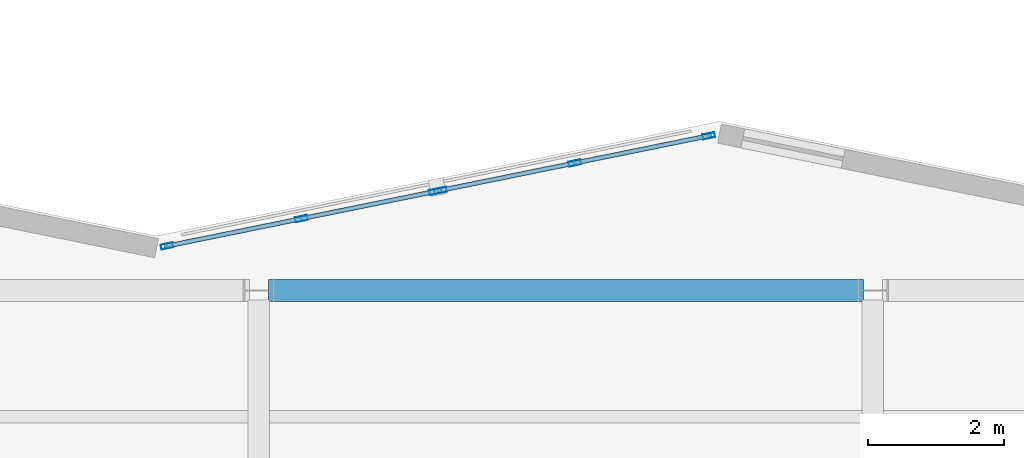
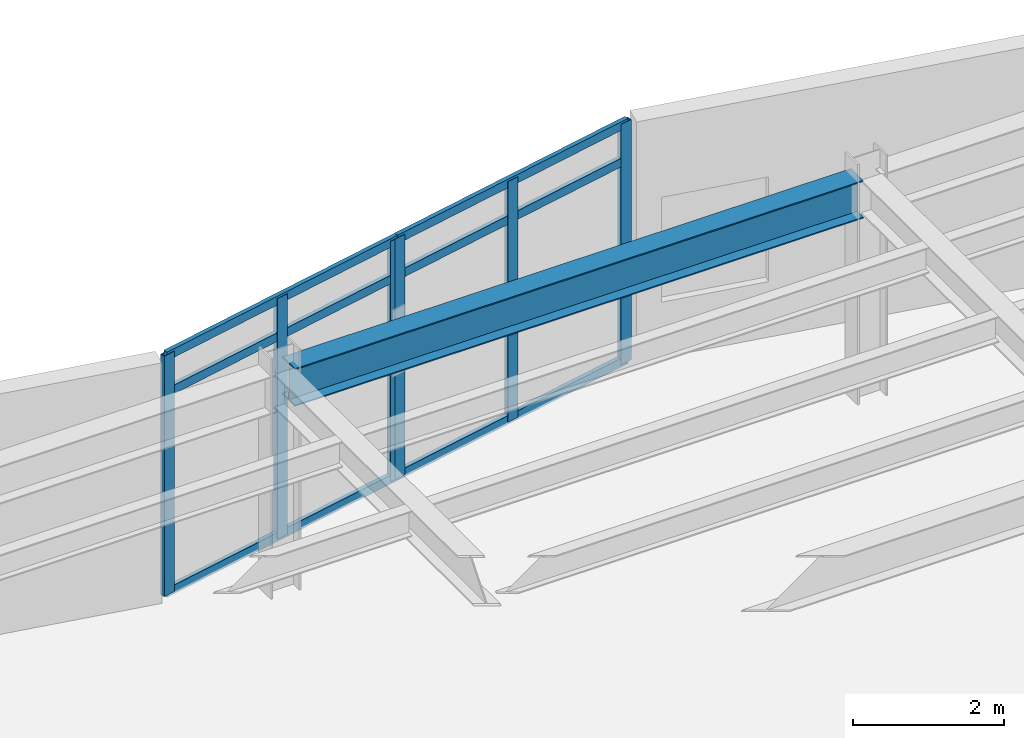
# One storey, part 14 of 46: 12 members, 1 beam, 2 elements without a shape of their own.
"""IFC4 building model written with IfcOpenShell, lengths in metres."""

from ifc_helpers import new_model, si_unit, direction, frame, origin, origin_2d, place, context, subcontext, project, spatial, hollow_rectangle, i_section, extrude, material, layer, layer_set, material_profile, profile_set, type_object, element, aggregate, save


model = new_model("IFC4")

# Units and contexts
model_context = context("Model", 3, precision=1e-05, world=origin(), true_north=direction((0.0, 1.0)))
body_context = subcontext(model_context, "Body", "Model", "MODEL_VIEW")
ifc_project = project(units=[si_unit("LENGTHUNIT", "METRE"), si_unit("AREAUNIT", "SQUARE_METRE"), si_unit("VOLUMEUNIT", "CUBIC_METRE"), si_unit("PLANEANGLEUNIT", "RADIAN"), si_unit("MASSUNIT", "GRAM", prefix="KILO")], contexts=[model_context])

# Site, building, storey
site_placement = place(None, origin())
site = spatial("IfcSite", under=ifc_project, at=site_placement, CompositionType="ELEMENT")
building_placement = place(site_placement, origin())
building = spatial("IfcBuilding", under=site, at=building_placement, Name="Sollismere Congress Hotel", CompositionType="ELEMENT")
storey_placement = place(building_placement, frame((0.0, 0.0, 19.5)))
storey = spatial("IfcBuildingStorey", under=building, at=storey_placement, Name="L04", CompositionType="ELEMENT", Elevation=19.5)

# Beam
ifc_material_1 = material(Name="Steel ASTM A992 Grade 50", Category="steel")
ifc_material_profile_1 = material_profile(ifc_material_1, i_section(OverallWidth=0.324951171875, OverallDepth=0.612060546875, WebThickness=0.0126953125, FlangeThickness=0.01904296875, at=origin_2d()), Name="W24X104")
ifc_profile_set_1 = profile_set([ifc_material_profile_1], Name="Steel ASTM A992 Grade 50")
beam_type = type_object("IfcBeamType", Name="BM-G24", PredefinedType="BEAM", material=ifc_profile_set_1)
beam_placement = place(storey_placement, frame((76.139892578125, 102.39990234375, 3.303955078125), z_axis=(1.0, 0.0, 0.0), x_axis=(0.0, 1.0, 0.0)))
element("IfcBeam", 1, at=beam_placement, inside=storey, type_object=beam_type, Name="Beam BM-L04-2714", PredefinedType="BEAM", context=body_context, shape_type="SweptSolid", body=[
    extrude(i_section(OverallWidth=0.324951171875, OverallDepth=0.612060546875, WebThickness=0.0126953125, FlangeThickness=0.01904296875, at=origin_2d()), origin(), (0.0, 0.0, 1.0), 8.72021484375),
])

# Curtain wall, members
ifc_material_2 = material(Name="Anodized Bronze Curtain Wall & Low-E Triple Glazing", Category="glass")
ifc_layer = layer(ifc_material_2, 0.199951171875, Name="Anodized Bronze Curtain Wall & Low-E Triple Glazing")
ifc_layer_set = layer_set([ifc_layer], Name="Anodized Bronze Curtain Wall & Low-E Triple Glazing")
curtain_wall_type = type_object("IfcCurtainWallType", Name="CW-GLZ36", PredefinedType="USERDEFINED", material=ifc_layer_set)
curtain_wall_1_placement = place(storey_placement, origin())
curtain_wall_1 = element("IfcCurtainWall", 2, at=curtain_wall_1_placement, inside=storey, type_object=curtain_wall_type, Name="Unitised curtain wall CW-L04-115", ObjectType="UNITISED CURTAIN WALL", PredefinedType="USERDEFINED")
ifc_material_3 = material(Name="Anodized Aluminum 6063-T6", Category="aluminium")
ifc_material_profile_2 = material_profile(ifc_material_3, hollow_rectangle(XDim=0.074951171875, YDim=0.179931640625, WallThickness=0.0048828125, at=origin_2d()), Name="ALU180X75X5")
ifc_profile_set_2 = profile_set([ifc_material_profile_2], Name="Anodized Aluminum 6063-T6")
member_type_1 = type_object("IfcMemberType", Name="ML-CW180", PredefinedType="MULLION", material=ifc_profile_set_2)
member_1_placement = place(storey_placement, frame((74.65478515625, 103.051513671875, 0.0), z_axis=(0.0, 0.0, 1.0), x_axis=(-0.199367934417, 0.979924704621, 0.0)))
member_1 = element("IfcMember", 3, at=member_1_placement, type_object=member_type_1, Name="CWL-CW-L04-115-ML01", PredefinedType="MULLION", context=body_context, shape_type="SweptSolid", body=[
    extrude(hollow_rectangle(XDim=0.074951171875, YDim=0.179931640625, WallThickness=0.0048828125, at=origin_2d()), origin(), (0.0, 0.0, 1.0), 3.89990234375),
])
member_2_placement = place(storey_placement, frame((76.621337890625, 103.45166015625, 0.0), z_axis=(0.0, 0.0, 1.0), x_axis=(-0.199367934417, 0.979924704621, 0.0)))
member_2 = element("IfcMember", 4, at=member_2_placement, type_object=member_type_1, Name="CWL-CW-L04-115-ML02", PredefinedType="MULLION", context=body_context, shape_type="SweptSolid", body=[
    extrude(hollow_rectangle(XDim=0.074951171875, YDim=0.179931640625, WallThickness=0.0048828125, at=origin_2d()), origin(), (0.0, 0.0, 1.0), 3.89990234375),
])
member_3_placement = place(storey_placement, frame((78.587890625, 103.851806640625, 0.0), z_axis=(0.0, 0.0, 1.0), x_axis=(-0.199367934417, 0.979924704621, 0.0)))
member_3 = element("IfcMember", 5, at=member_3_placement, type_object=member_type_1, Name="CWL-CW-L04-115-ML03", PredefinedType="MULLION", context=body_context, shape_type="SweptSolid", body=[
    extrude(hollow_rectangle(XDim=0.074951171875, YDim=0.179931640625, WallThickness=0.0048828125, at=origin_2d()), origin(), (0.0, 0.0, 1.0), 3.89990234375),
])

curtain_wall_2_placement = place(storey_placement, origin())
curtain_wall_2 = element("IfcCurtainWall", 6, at=curtain_wall_2_placement, inside=storey, type_object=curtain_wall_type, Name="Unitised curtain wall CW-L04-116", ObjectType="UNITISED CURTAIN WALL", PredefinedType="USERDEFINED")
member_4_placement = place(storey_placement, frame((78.662109375, 103.86669921875, 0.0), z_axis=(0.0, 0.0, 1.0), x_axis=(-0.199367934417, 0.979924704621, 0.0)))
member_4 = element("IfcMember", 7, at=member_4_placement, type_object=member_type_1, Name="CWL-CW-L04-116-ML01", PredefinedType="MULLION", context=body_context, shape_type="SweptSolid", body=[
    extrude(hollow_rectangle(XDim=0.074951171875, YDim=0.179931640625, WallThickness=0.0048828125, at=origin_2d()), origin(), (0.0, 0.0, 1.0), 3.89990234375),
])
member_5_placement = place(storey_placement, frame((80.628662109375, 104.266845703125, 0.0), z_axis=(0.0, 0.0, 1.0), x_axis=(-0.199367934417, 0.979924704621, 0.0)))
member_5 = element("IfcMember", 8, at=member_5_placement, type_object=member_type_1, Name="CWL-CW-L04-116-ML02", PredefinedType="MULLION", context=body_context, shape_type="SweptSolid", body=[
    extrude(hollow_rectangle(XDim=0.074951171875, YDim=0.179931640625, WallThickness=0.0048828125, at=origin_2d()), origin(), (0.0, 0.0, 1.0), 3.89990234375),
])
member_6_placement = place(storey_placement, frame((82.59521484375, 104.6669921875, 0.0), z_axis=(0.0, 0.0, 1.0), x_axis=(-0.199367934417, 0.979924704621, 0.0)))
member_6 = element("IfcMember", 9, at=member_6_placement, type_object=member_type_1, Name="CWL-CW-L04-116-ML03", PredefinedType="MULLION", context=body_context, shape_type="SweptSolid", body=[
    extrude(hollow_rectangle(XDim=0.074951171875, YDim=0.179931640625, WallThickness=0.0048828125, at=origin_2d()), origin(), (0.0, 0.0, 1.0), 3.89990234375),
])

# Member
ifc_material_profile_3 = material_profile(ifc_material_3, hollow_rectangle(XDim=0.06494140625, YDim=0.139892578125, WallThickness=0.00390625, at=origin_2d()), Name="ALU140X65X4")
ifc_profile_set_3 = profile_set([ifc_material_profile_3], Name="Anodized Aluminum 6063-T6")
member_type_2 = type_object("IfcMemberType", Name="TR-CW150", PredefinedType="MEMBER", material=ifc_profile_set_3)
member_7_placement = place(storey_placement, frame((74.61767578125, 103.0439453125, 0.032470703125), z_axis=(0.979918476409, 0.199398544609, 0.0), x_axis=(-0.199398544609, 0.979918476409, 0.0)))
member_7 = element("IfcMember", 10, at=member_7_placement, type_object=member_type_2, Name="CWL-CW-L04-115-TR1", PredefinedType="MEMBER", context=body_context, shape_type="SweptSolid", body=[
    extrude(hollow_rectangle(XDim=0.06494140625, YDim=0.139892578125, WallThickness=0.00390625, at=origin_2d()), origin(), (0.0, 0.0, 1.0), 4.08935546875),
])

member_8_placement = place(storey_placement, frame((74.61767578125, 103.0439453125, 3.27587890625), z_axis=(0.979918476409, 0.199398544609, 0.0), x_axis=(-0.199398544609, 0.979918476409, 0.0)))
member_8 = element("IfcMember", 11, at=member_8_placement, type_object=member_type_2, Name="CWL-CW-L04-115-TR2", PredefinedType="MEMBER", context=body_context, shape_type="SweptSolid", body=[
    extrude(hollow_rectangle(XDim=0.06494140625, YDim=0.139892578125, WallThickness=0.00390625, at=origin_2d()), origin(), (0.0, 0.0, 1.0), 4.08935546875),
])

member_9_placement = place(storey_placement, frame((74.61767578125, 103.0439453125, 3.867431640625), z_axis=(0.979918476409, 0.199398544609, 0.0), x_axis=(-0.199398544609, 0.979918476409, 0.0)))
member_9 = element("IfcMember", 12, at=member_9_placement, type_object=member_type_2, Name="CWL-CW-L04-115-TR3", PredefinedType="MEMBER", context=body_context, shape_type="SweptSolid", body=[
    extrude(hollow_rectangle(XDim=0.06494140625, YDim=0.139892578125, WallThickness=0.00390625, at=origin_2d()), origin(), (0.0, 0.0, 1.0), 4.08935546875),
])

aggregate(curtain_wall_1, [member_1, member_2, member_3, member_7, member_8, member_9])

member_10_placement = place(storey_placement, frame((78.625, 103.859375, 0.032470703125), z_axis=(0.979930139944, 0.199341217087, 0.0), x_axis=(-0.199341217087, 0.979930139944, 0.0)))
member_10 = element("IfcMember", 13, at=member_10_placement, type_object=member_type_2, Name="CWL-CW-L04-116-TR1", PredefinedType="MEMBER", context=body_context, shape_type="SweptSolid", body=[
    extrude(hollow_rectangle(XDim=0.06494140625, YDim=0.139892578125, WallThickness=0.00390625, at=origin_2d()), origin(), (0.0, 0.0, 1.0), 4.08935546875),
])

member_11_placement = place(storey_placement, frame((78.625, 103.859375, 3.27587890625), z_axis=(0.979930139944, 0.199341217087, 0.0), x_axis=(-0.199341217087, 0.979930139944, 0.0)))
member_11 = element("IfcMember", 14, at=member_11_placement, type_object=member_type_2, Name="CWL-CW-L04-116-TR2", PredefinedType="MEMBER", context=body_context, shape_type="SweptSolid", body=[
    extrude(hollow_rectangle(XDim=0.06494140625, YDim=0.139892578125, WallThickness=0.00390625, at=origin_2d()), origin(), (0.0, 0.0, 1.0), 4.08935546875),
])

member_12_placement = place(storey_placement, frame((78.625, 103.859375, 3.867431640625), z_axis=(0.979930139944, 0.199341217087, 0.0), x_axis=(-0.199341217087, 0.979930139944, 0.0)))
member_12 = element("IfcMember", 15, at=member_12_placement, type_object=member_type_2, Name="CWL-CW-L04-116-TR3", PredefinedType="MEMBER", context=body_context, shape_type="SweptSolid", body=[
    extrude(hollow_rectangle(XDim=0.06494140625, YDim=0.139892578125, WallThickness=0.00390625, at=origin_2d()), origin(), (0.0, 0.0, 1.0), 4.08935546875),
])

aggregate(curtain_wall_2, [member_4, member_5, member_6, member_10, member_11, member_12])

save(model, "model.ifc")
